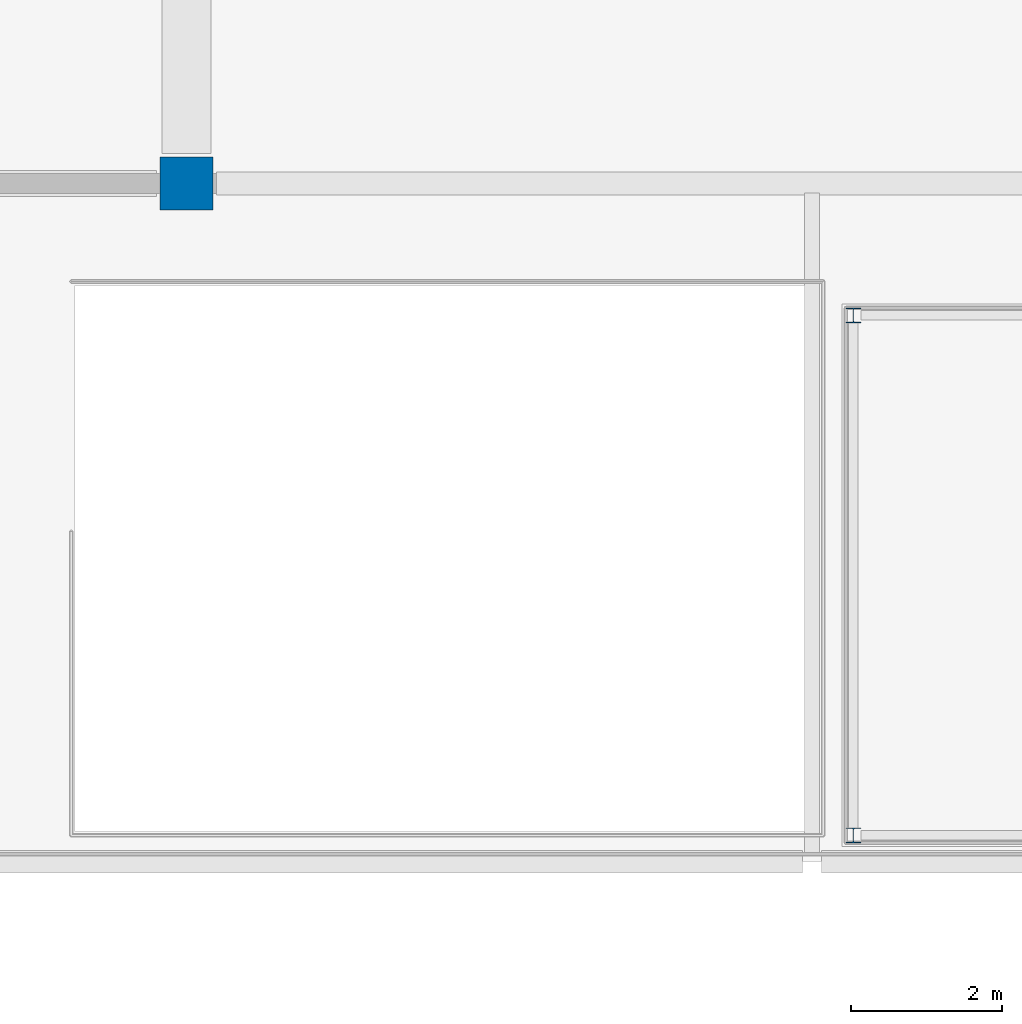
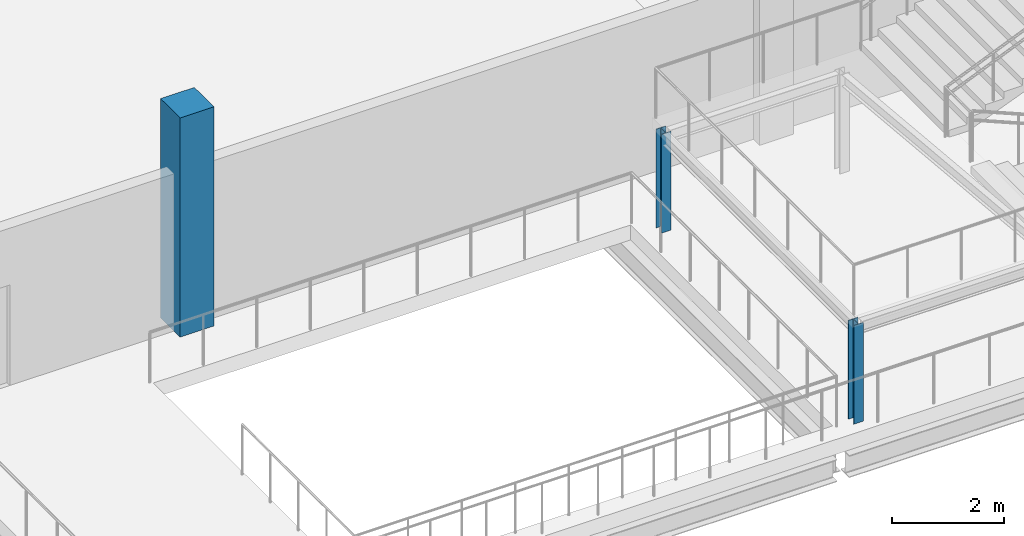
# One storey, part 8 of 112: 3 columns.
"""IFC4 building model written with IfcOpenShell, lengths in metres."""

from ifc_helpers import new_model, si_unit, direction, frame, origin, origin_2d, place, context, subcontext, project, spatial, rectangle, i_section, extrude, material, material_profile, profile_set, type_object, element, save


model = new_model("IFC4")

# Units and contexts
model_context = context("Model", 3, precision=1e-05, world=origin(), true_north=direction((0.0, 1.0)))
body_context = subcontext(model_context, "Body", "Model", "MODEL_VIEW")
ifc_project = project(units=[si_unit("LENGTHUNIT", "METRE"), si_unit("AREAUNIT", "SQUARE_METRE"), si_unit("VOLUMEUNIT", "CUBIC_METRE"), si_unit("PLANEANGLEUNIT", "RADIAN"), si_unit("MASSUNIT", "GRAM", prefix="KILO")], contexts=[model_context])

# Site, building, storey
site_placement = place(None, origin())
site = spatial("IfcSite", under=ifc_project, at=site_placement, CompositionType="ELEMENT")
building_placement = place(site_placement, origin())
building = spatial("IfcBuilding", under=site, at=building_placement, Name="Kamomehara Wholesale Market", CompositionType="ELEMENT")
storey_placement = place(building_placement, frame((0.0, 0.0, 6.60009765625)))
storey = spatial("IfcBuildingStorey", under=building, at=storey_placement, Name="L01", CompositionType="ELEMENT", Elevation=6.60009765625)

# Columns
ifc_material_1 = material(Name="Precast concrete Fc45 (C40/50)", Category="concrete")
ifc_material_profile_1 = material_profile(ifc_material_1, rectangle(XDim=0.699951171875, YDim=0.699951171875, at=origin_2d()), Name="PC-COL-700x700")
ifc_profile_set_1 = profile_set([ifc_material_profile_1], Name="Precast concrete Fc45 (C40/50)")
column_type_1 = type_object("IfcColumnType", Name="COL-PC700-EXT", PredefinedType="COLUMN", material=ifc_profile_set_1)
column_placement = place(storey_placement, frame((180.0, 24.0, 0.0), z_axis=(0.0, 0.0, 1.0), x_axis=(1.0, 0.0, 0.0)))
element("IfcColumn", 1, at=column_placement, inside=storey, type_object=column_type_1, Name="Column C-05E L01", PredefinedType="COLUMN", context=body_context, shape_type="SweptSolid", body=[
    extrude(rectangle(XDim=0.699951171875, YDim=0.699951171875, at=origin_2d()), origin(), (0.0, 0.0, 1.0), 4.7998046875),
])
ifc_material_2 = material(Name="Steel SN490B", Category="steel")
ifc_material_profile_2 = material_profile(ifc_material_2, i_section(OverallWidth=0.199951171875, OverallDepth=0.199951171875, WebThickness=0.008056640625, FlangeThickness=0.011962890625, FilletRadius=0.012939453125, at=origin_2d()), Name="H-200x200x8x12")
ifc_profile_set_2 = profile_set([ifc_material_profile_2], Name="Steel SN490B")
column_type_2 = type_object("IfcColumnType", Name="COL-ST-H200-EXT", PredefinedType="COLUMN", material=ifc_profile_set_2)
for number, where, z_axis, x_axis, name in (
    (2, (188.85009765625, 15.35009765625, 0.0), (0.0, 0.0, 1.0), (1.0, 0.0, 0.0), "Column CS-10E L01 ST20.1"),
    (3, (188.85009765625, 22.25, 0.0), (0.0, 0.0, 1.0), (1.0, 0.0, 0.0), "Column CS-10E L01 ST20.2"),
):
    element("IfcColumn", number, at=place(storey_placement, frame(where, z_axis=z_axis, x_axis=x_axis)), inside=storey, type_object=column_type_2, Name=name, PredefinedType="COLUMN", context=body_context, shape_type="SweptSolid", body=[
        extrude(i_section(OverallWidth=0.199951171875, OverallDepth=0.199951171875, WebThickness=0.008056640625, FlangeThickness=0.011962890625, FilletRadius=0.012939453125, at=origin_2d()), origin(), (0.0, 0.0, 1.0), 2.159912109375),
    ])

save(model, "model.ifc")
